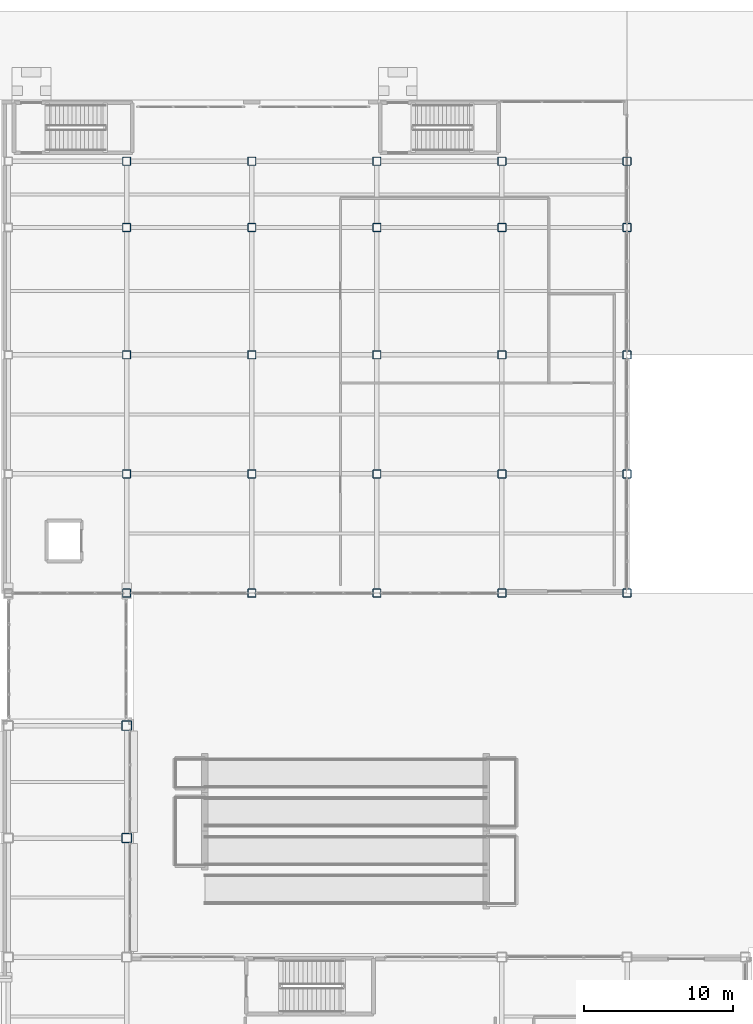
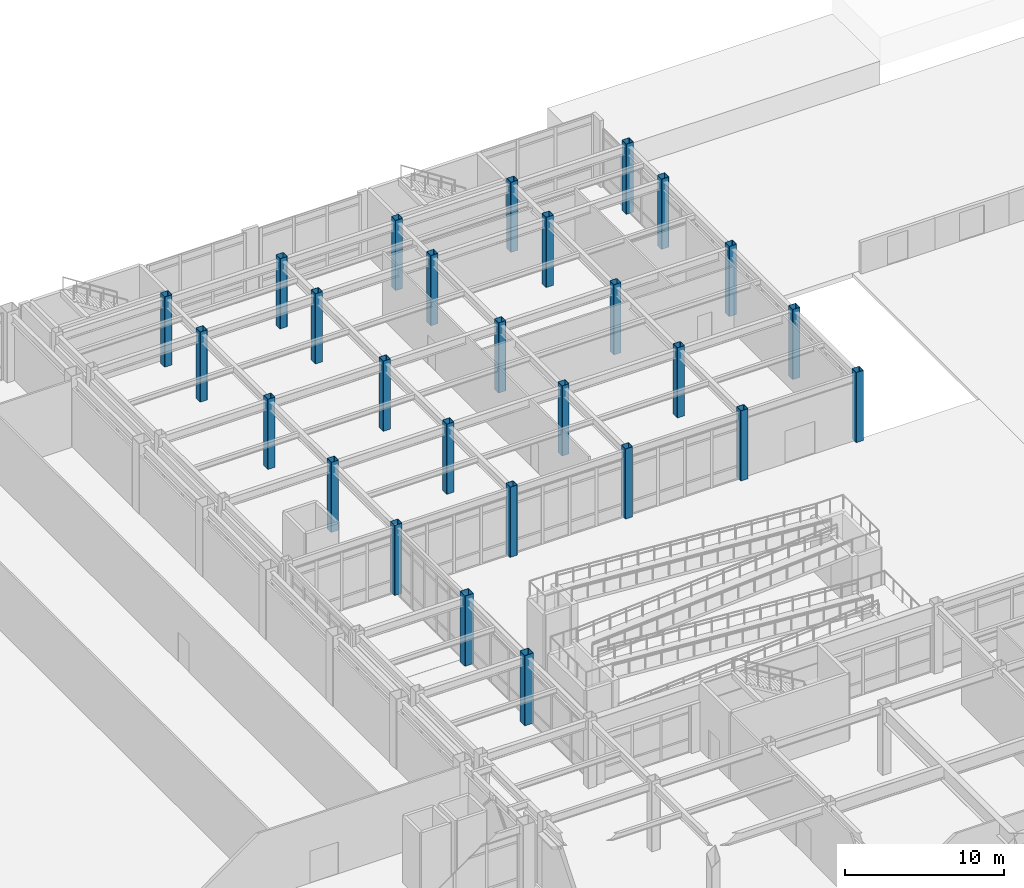
# One storey, part 5 of 165: 27 columns.
"""IFC4 building model written with IfcOpenShell, lengths in metres."""

from ifc_helpers import new_model, si_unit, direction, frame, origin, origin_2d, place, context, subcontext, project, spatial, hollow_rectangle, extrude, material, material_profile, profile_set, type_object, element, save


model = new_model("IFC4")

# Units and contexts
model_context = context("Model", 3, precision=1e-05, world=origin(), true_north=direction((0.0, 1.0)))
body_context = subcontext(model_context, "Body", "Model", "MODEL_VIEW")
ifc_project = project(units=[si_unit("LENGTHUNIT", "METRE"), si_unit("AREAUNIT", "SQUARE_METRE"), si_unit("VOLUMEUNIT", "CUBIC_METRE"), si_unit("PLANEANGLEUNIT", "RADIAN"), si_unit("MASSUNIT", "GRAM", prefix="KILO")], contexts=[model_context])

# Site, building, storey
site_placement = place(None, origin())
site = spatial("IfcSite", under=ifc_project, at=site_placement, CompositionType="ELEMENT")
building_placement = place(site_placement, origin())
building = spatial("IfcBuilding", under=site, at=building_placement, Name="Kazehara Bluff Congress Hotel", CompositionType="ELEMENT")
storey_placement = place(building_placement, origin())
storey = spatial("IfcBuildingStorey", under=building, at=storey_placement, Name="L00", CompositionType="ELEMENT", Elevation=0.0)

# Columns
ifc_material_1 = material(Name="Steel BCR295", Category="steel")
ifc_material_profile_1 = material_profile(ifc_material_1, hollow_rectangle(XDim=0.64990234375, YDim=0.64990234375, WallThickness=0.02490234375, InnerFilletRadius=0.02490234375, OuterFilletRadius=0.050048828125, at=origin_2d()))
ifc_profile_set_1 = profile_set([ifc_material_profile_1], Name="Steel BCR295")
column_type_1 = type_object("IfcColumnType", Name="TP-C-04", PredefinedType="COLUMN", material=ifc_profile_set_1)
for number, where, z_axis, x_axis, name in (
    (1, (67.64990234375, 64.449951171875, 0.0), (0.0, 0.0, 1.0), (1.0, 0.0, 0.0), "L00 column C-04 (67.65,64.45)"),
    (2, (67.64990234375, 72.0, 0.0), (0.0, 0.0, 1.0), (1.0, 0.0, 0.0), "L00 column C-04 (67.65,72.00)"),
):
    element("IfcColumn", number, at=place(storey_placement, frame(where, z_axis=z_axis, x_axis=x_axis)), inside=storey, type_object=column_type_1, Name=name, PredefinedType="COLUMN", context=body_context, shape_type="SweptSolid", body=[
        extrude(hollow_rectangle(XDim=0.64990234375, YDim=0.64990234375, WallThickness=0.02490234375, InnerFilletRadius=0.02490234375, OuterFilletRadius=0.050048828125, at=origin_2d()), origin(), (0.0, 0.0, 1.0), 5.39990234375),
    ])
ifc_material_2 = material(Name="Steel BCR295", Category="steel")
ifc_material_profile_2 = material_profile(ifc_material_2, hollow_rectangle(XDim=0.550048828125, YDim=0.550048828125, WallThickness=0.02197265625, InnerFilletRadius=0.02197265625, OuterFilletRadius=0.0439453125, at=origin_2d()))
ifc_profile_set_2 = profile_set([ifc_material_profile_2], Name="Steel BCR295")
column_type_2 = type_object("IfcColumnType", Name="TP-C-06", PredefinedType="COLUMN", material=ifc_profile_set_2)
for number, where, z_axis, x_axis, name in (
    (3, (67.64990234375, 80.89990234375, 0.0), (0.0, 0.0, 1.0), (1.0, 0.0, 0.0), "L00 column C-06 (67.65,80.90)"),
    (4, (67.64990234375, 88.89990234375, 0.0), (0.0, 0.0, 1.0), (1.0, 0.0, 0.0), "L00 column C-06 (67.65,88.90)"),
    (5, (67.64990234375, 96.89990234375, 0.0), (0.0, 0.0, 1.0), (1.0, 0.0, 0.0), "L00 column C-06 (67.65,96.90)"),
    (6, (67.64990234375, 105.449951171875, 0.0), (0.0, 0.0, 1.0), (1.0, 0.0, 0.0), "L00 column C-06 (67.65,105.45)"),
    (7, (67.64990234375, 109.89990234375, 0.0), (0.0, 0.0, 1.0), (1.0, 0.0, 0.0), "L00 column C-06 (67.65,109.90)"),
    (8, (76.050048828125, 80.89990234375, 0.0), (0.0, 0.0, 1.0), (1.0, 0.0, 0.0), "L00 column C-06 (76.05,80.90)"),
    (9, (76.050048828125, 88.89990234375, 0.0), (0.0, 0.0, 1.0), (1.0, 0.0, 0.0), "L00 column C-06 (76.05,88.90)"),
    (10, (76.050048828125, 96.89990234375, 0.0), (0.0, 0.0, 1.0), (1.0, 0.0, 0.0), "L00 column C-06 (76.05,96.90)"),
    (11, (76.050048828125, 105.449951171875, 0.0), (0.0, 0.0, 1.0), (1.0, 0.0, 0.0), "L00 column C-06 (76.05,105.45)"),
    (12, (76.050048828125, 109.89990234375, 0.0), (0.0, 0.0, 1.0), (1.0, 0.0, 0.0), "L00 column C-06 (76.05,109.90)"),
    (13, (84.449951171875, 80.89990234375, 0.0), (0.0, 0.0, 1.0), (1.0, 0.0, 0.0), "L00 column C-06 (84.45,80.90)"),
    (14, (84.449951171875, 88.89990234375, 0.0), (0.0, 0.0, 1.0), (1.0, 0.0, 0.0), "L00 column C-06 (84.45,88.90)"),
    (15, (84.449951171875, 96.89990234375, 0.0), (0.0, 0.0, 1.0), (1.0, 0.0, 0.0), "L00 column C-06 (84.45,96.90)"),
    (16, (84.449951171875, 105.449951171875, 0.0), (0.0, 0.0, 1.0), (1.0, 0.0, 0.0), "L00 column C-06 (84.45,105.45)"),
    (17, (84.449951171875, 109.89990234375, 0.0), (0.0, 0.0, 1.0), (1.0, 0.0, 0.0), "L00 column C-06 (84.45,109.90)"),
    (18, (92.85009765625, 80.89990234375, 0.0), (0.0, 0.0, 1.0), (1.0, 0.0, 0.0), "L00 column C-06 (92.85,80.90)"),
    (19, (92.85009765625, 88.89990234375, 0.0), (0.0, 0.0, 1.0), (1.0, 0.0, 0.0), "L00 column C-06 (92.85,88.90)"),
    (20, (92.85009765625, 96.89990234375, 0.0), (0.0, 0.0, 1.0), (1.0, 0.0, 0.0), "L00 column C-06 (92.85,96.90)"),
    (21, (92.85009765625, 105.449951171875, 0.0), (0.0, 0.0, 1.0), (1.0, 0.0, 0.0), "L00 column C-06 (92.85,105.45)"),
    (22, (92.85009765625, 109.89990234375, 0.0), (0.0, 0.0, 1.0), (1.0, 0.0, 0.0), "L00 column C-06 (92.85,109.90)"),
    (23, (101.25, 80.89990234375, 0.0), (0.0, 0.0, 1.0), (1.0, 0.0, 0.0), "L00 column C-06 (101.25,80.90)"),
    (24, (101.25, 88.89990234375, 0.0), (0.0, 0.0, 1.0), (1.0, 0.0, 0.0), "L00 column C-06 (101.25,88.90)"),
    (25, (101.25, 96.89990234375, 0.0), (0.0, 0.0, 1.0), (1.0, 0.0, 0.0), "L00 column C-06 (101.25,96.90)"),
    (26, (101.25, 105.449951171875, 0.0), (0.0, 0.0, 1.0), (1.0, 0.0, 0.0), "L00 column C-06 (101.25,105.45)"),
    (27, (101.25, 109.89990234375, 0.0), (0.0, 0.0, 1.0), (1.0, 0.0, 0.0), "L00 column C-06 (101.25,109.90)"),
):
    element("IfcColumn", number, at=place(storey_placement, frame(where, z_axis=z_axis, x_axis=x_axis)), inside=storey, type_object=column_type_2, Name=name, PredefinedType="COLUMN", context=body_context, shape_type="SweptSolid", body=[
        extrude(hollow_rectangle(XDim=0.550048828125, YDim=0.550048828125, WallThickness=0.02197265625, InnerFilletRadius=0.02197265625, OuterFilletRadius=0.0439453125, at=origin_2d()), origin(), (0.0, 0.0, 1.0), 5.39990234375),
    ])

save(model, "model.ifc")
